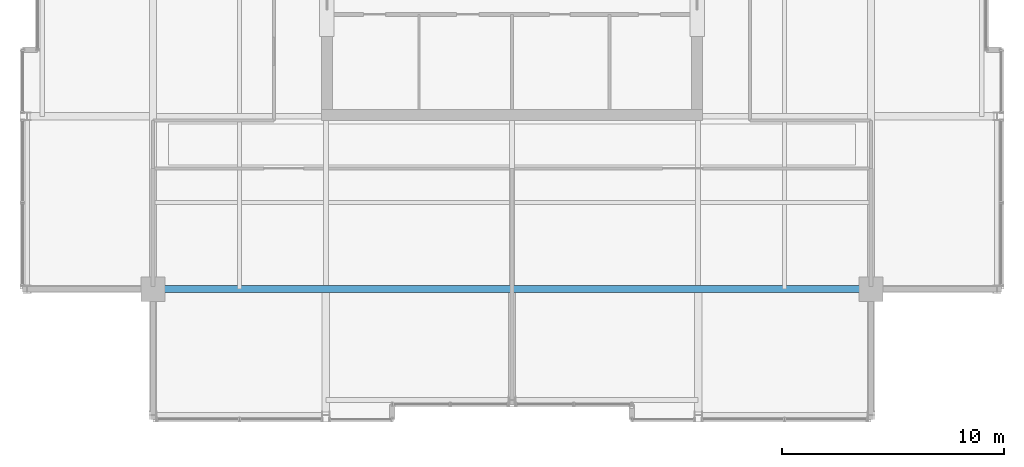
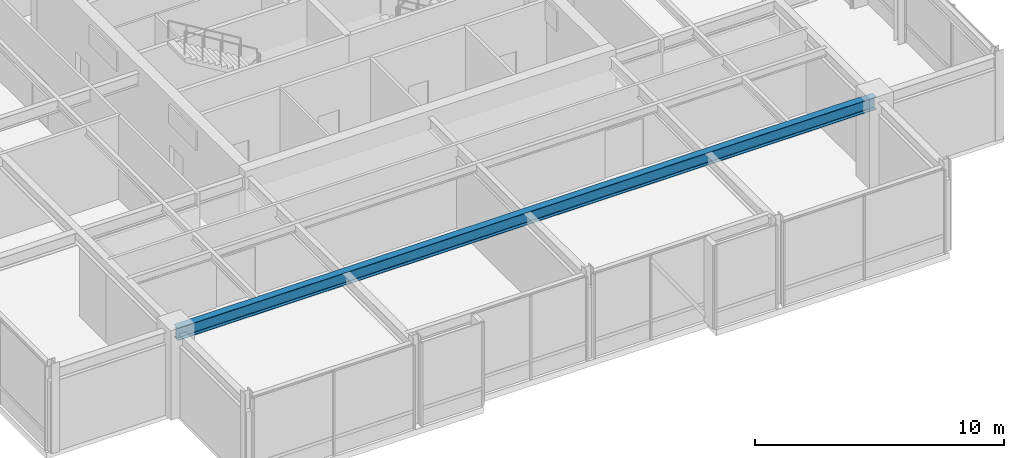
# One storey, part 9 of 34: 1 beam.
"""IFC4 building model written with IfcOpenShell, lengths in metres."""

from ifc_helpers import new_model, si_unit, direction, frame, origin, origin_2d, place, context, subcontext, project, spatial, i_section, extrude, material, material_profile, profile_set, type_object, element, save


model = new_model("IFC4")

# Units and contexts
model_context = context("Model", 3, precision=1e-05, world=origin(), true_north=direction((0.0, 1.0)))
body_context = subcontext(model_context, "Body", "Model", "MODEL_VIEW")
ifc_project = project(units=[si_unit("LENGTHUNIT", "METRE"), si_unit("AREAUNIT", "SQUARE_METRE"), si_unit("VOLUMEUNIT", "CUBIC_METRE"), si_unit("PLANEANGLEUNIT", "RADIAN"), si_unit("MASSUNIT", "GRAM", prefix="KILO")], contexts=[model_context])

# Site, building, storey
site_placement = place(None, origin())
site = spatial("IfcSite", under=ifc_project, at=site_placement, CompositionType="ELEMENT")
building_placement = place(site_placement, origin())
building = spatial("IfcBuilding", under=site, at=building_placement, Name="Drelvath Grand Hotel", CompositionType="ELEMENT")
storey_placement = place(building_placement, frame((0.0, 0.0, 294.199951171875)))
storey = spatial("IfcBuildingStorey", under=building, at=storey_placement, Name="L77", CompositionType="ELEMENT", Elevation=294.199951171875)

# Beam
ifc_material = material(Name="Steel ASTM A992 Gr 50", Category="steel")
ifc_material_profile = material_profile(ifc_material, i_section(OverallWidth=0.323974609375, OverallDepth=0.611083984375, WebThickness=0.0126953125, FlangeThickness=0.01904296875, FilletRadius=0.02197265625, at=origin_2d()), Name="W24X104")
ifc_profile_set = profile_set([ifc_material_profile], Name="Steel ASTM A992 Gr 50")
beam_type = type_object("IfcBeamType", Name="Primary Floor Girder W24X104", PredefinedType="BEAM", material=ifc_profile_set)
beam_placement = place(storey_placement, frame((-16.199951171875, 10.800048828125, 3.79443359375), z_axis=(1.0, 0.0, 0.0), x_axis=(0.0, 1.0, 0.0)))
element("IfcBeam", 1, at=beam_placement, inside=storey, type_object=beam_type, Name="L77 Mega Ring Girder South", PredefinedType="BEAM", context=body_context, shape_type="SweptSolid", body=[
    extrude(i_section(OverallWidth=0.323974609375, OverallDepth=0.611083984375, WebThickness=0.0126953125, FlangeThickness=0.01904296875, FilletRadius=0.02197265625, at=origin_2d()), origin(), (0.0, 0.0, 1.0), 32.39990234375),
])

save(model, "model.ifc")
